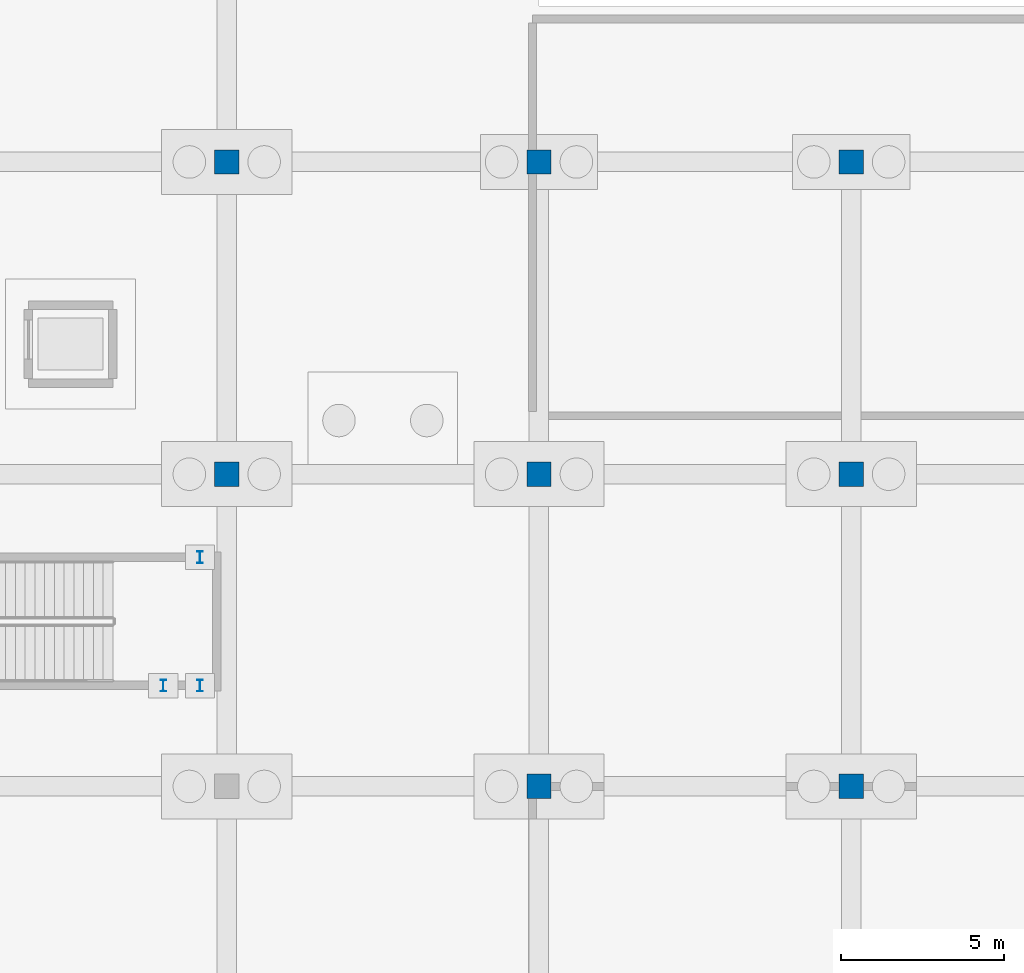
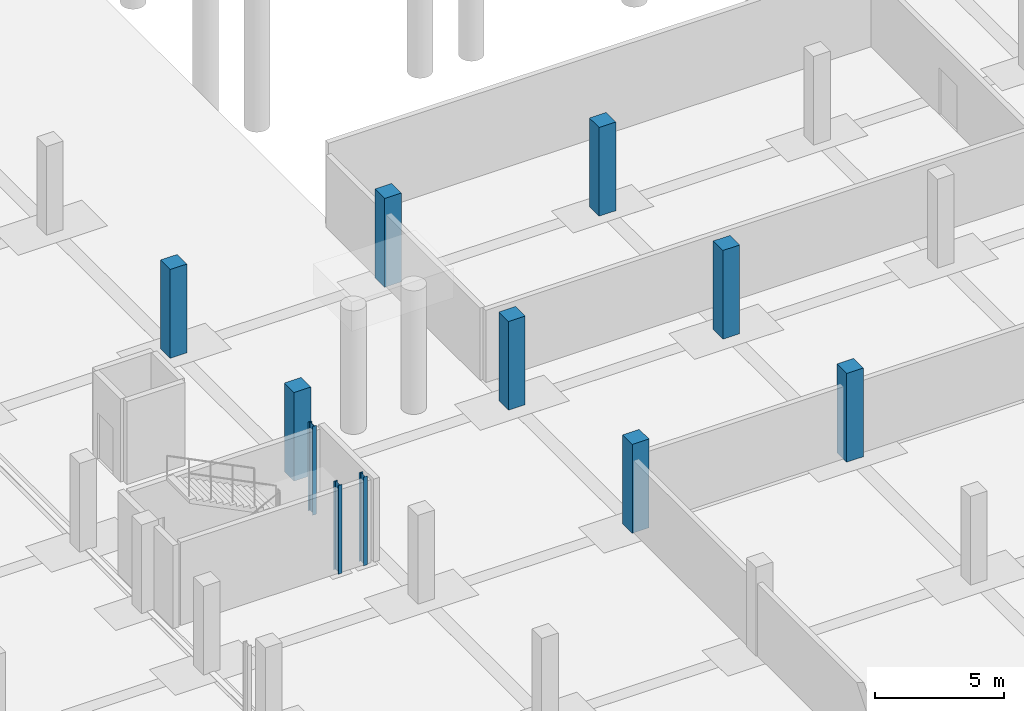
# One storey, part 19 of 54: 11 columns.
"""IFC4 building model written with IfcOpenShell, lengths in metres."""

from ifc_helpers import new_model, si_unit, direction, frame, origin, origin_2d, place, context, subcontext, project, spatial, rectangle, i_section, extrude, material, material_profile, profile_set, type_object, element, save


model = new_model("IFC4")

# Units and contexts
model_context = context("Model", 3, precision=1e-05, world=origin(), true_north=direction((0.0, 1.0)))
body_context = subcontext(model_context, "Body", "Model", "MODEL_VIEW")
ifc_project = project(units=[si_unit("LENGTHUNIT", "METRE"), si_unit("AREAUNIT", "SQUARE_METRE"), si_unit("VOLUMEUNIT", "CUBIC_METRE"), si_unit("PLANEANGLEUNIT", "RADIAN"), si_unit("MASSUNIT", "GRAM", prefix="KILO")], contexts=[model_context])

# Site, building, storey
site_placement = place(None, origin())
site = spatial("IfcSite", under=ifc_project, at=site_placement, CompositionType="ELEMENT")
building_placement = place(site_placement, origin())
building = spatial("IfcBuilding", under=site, at=building_placement, Name="Zevrakil Square Congress Hotel", CompositionType="ELEMENT")
storey_placement = place(building_placement, frame((0.0, 0.0, -8.39990234375)))
storey = spatial("IfcBuildingStorey", under=building, at=storey_placement, Name="B2", CompositionType="ELEMENT", Elevation=-8.39990234375)

# Columns
ifc_material_1 = material(Name="Steel S355", Category="steel")
ifc_material_profile_1 = material_profile(ifc_material_1, i_section(OverallWidth=0.169921875, OverallDepth=0.360107421875, WebThickness=0.008056640625, FlangeThickness=0.0126953125, FilletRadius=0.01806640625, at=origin_2d()), Name="IPE 360")
ifc_profile_set_1 = profile_set([ifc_material_profile_1], Name="Steel S355")
column_type_1 = type_object("IfcColumnType", Name="COL-PILASTER-SHS180", PredefinedType="PILASTER", material=ifc_profile_set_1)
for number, where, z_axis, x_axis, name in (
    (1, (62.85009765625, 39.10009765625, 0.0), (0.0, 0.0, 1.0), (1.0, 0.0, 0.0), "B2 ST04 stair shaft post 1"),
    (2, (63.97998046875, 39.10009765625, 0.0), (0.0, 0.0, 1.0), (1.0, 0.0, 0.0), "B2 ST04 stair shaft post 2"),
    (3, (63.97998046875, 43.050048828125, 0.0), (0.0, 0.0, 1.0), (1.0, 0.0, 0.0), "B2 ST04 stair shaft post 3"),
):
    element("IfcColumn", number, at=place(storey_placement, frame(where, z_axis=z_axis, x_axis=x_axis)), inside=storey, type_object=column_type_1, Name=name, PredefinedType="PILASTER", context=body_context, shape_type="SweptSolid", body=[
        extrude(i_section(OverallWidth=0.169921875, OverallDepth=0.360107421875, WebThickness=0.008056640625, FlangeThickness=0.0126953125, FilletRadius=0.01806640625, at=origin_2d()), origin(), (0.0, 0.0, 1.0), 4.199951171875),
    ])
ifc_material_2 = material(Name="Concrete C40/50", Category="concrete")
ifc_material_profile_2 = material_profile(ifc_material_2, rectangle(XDim=0.75, YDim=0.75, at=origin_2d()), Name="RC 750x750")
ifc_profile_set_2 = profile_set([ifc_material_profile_2], Name="Concrete C40/50")
column_type_2 = type_object("IfcColumnType", Name="COL-RC750", PredefinedType="COLUMN", material=ifc_profile_set_2)
for number, where, z_axis, x_axis, name in (
    (4, (64.800048828125, 45.60009765625, 0.0), (0.0, 0.0, 1.0), (1.0, 0.0, 0.0), "B2 column C-104"),
    (5, (64.800048828125, 55.199951171875, 0.0), (0.0, 0.0, 1.0), (1.0, 0.0, 0.0), "B2 column C-105"),
    (6, (74.39990234375, 36.0, 0.0), (0.0, 0.0, 1.0), (1.0, 0.0, 0.0), "B2 column C-117"),
    (7, (74.39990234375, 45.60009765625, 0.0), (0.0, 0.0, 1.0), (1.0, 0.0, 0.0), "B2 column C-118"),
    (8, (74.39990234375, 55.199951171875, 0.0), (0.0, 0.0, 1.0), (1.0, 0.0, 0.0), "B2 column C-119"),
    (9, (84.0, 36.0, 0.0), (0.0, 0.0, 1.0), (1.0, 0.0, 0.0), "B2 column C-129"),
    (10, (84.0, 45.60009765625, 0.0), (0.0, 0.0, 1.0), (1.0, 0.0, 0.0), "B2 column C-130"),
    (11, (84.0, 55.199951171875, 0.0), (0.0, 0.0, 1.0), (1.0, 0.0, 0.0), "B2 column C-131"),
):
    element("IfcColumn", number, at=place(storey_placement, frame(where, z_axis=z_axis, x_axis=x_axis)), inside=storey, type_object=column_type_2, Name=name, PredefinedType="COLUMN", context=body_context, shape_type="SweptSolid", body=[
        extrude(rectangle(XDim=0.75, YDim=0.75, at=origin_2d()), origin(), (0.0, 0.0, 1.0), 4.199951171875),
    ])

save(model, "model.ifc")
